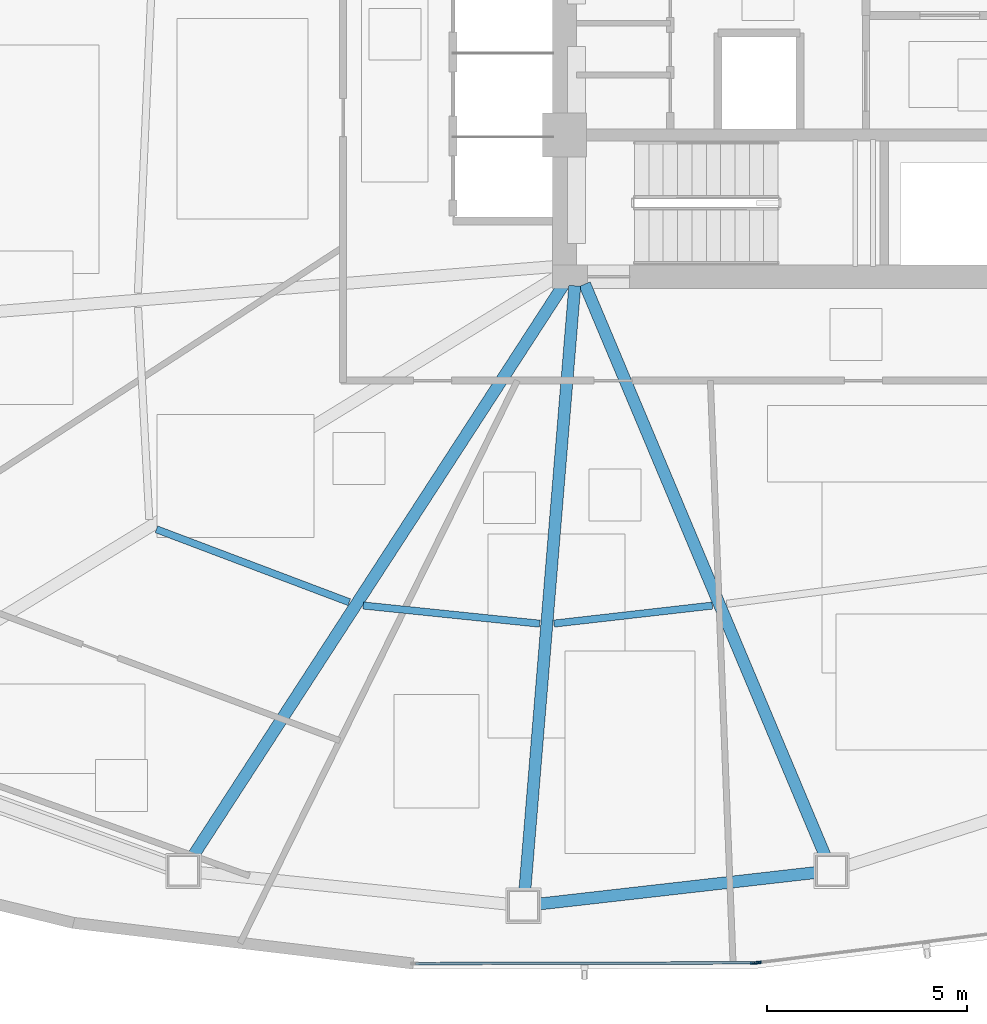
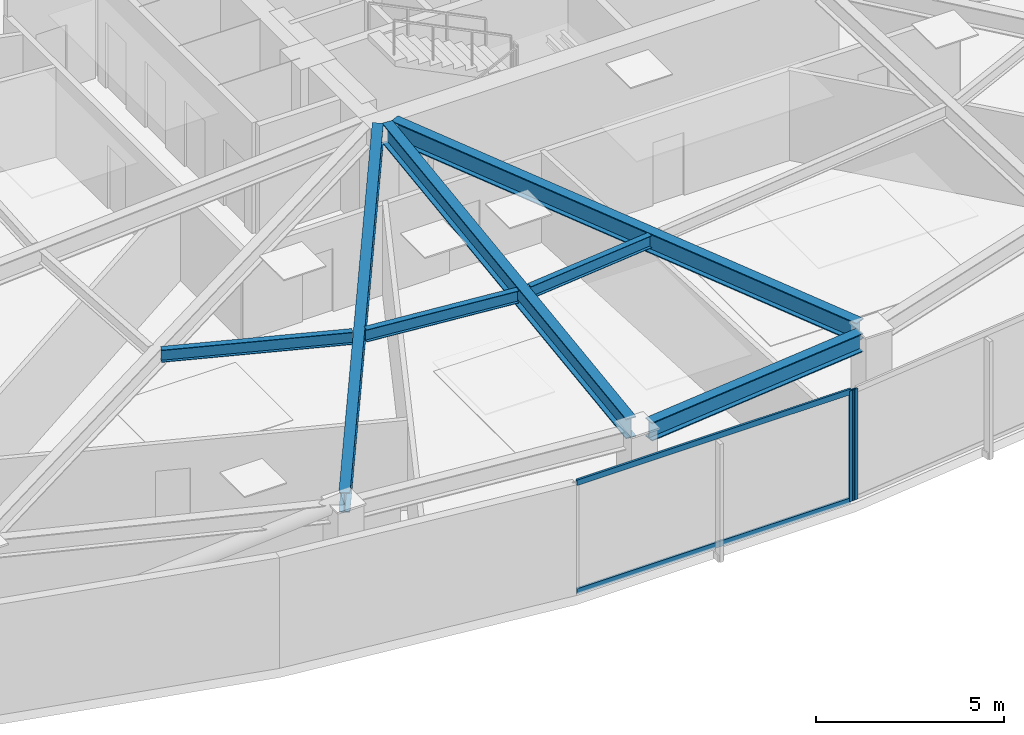
# One storey, part 3 of 17: 7 beams, 4 members, 2 elements without a shape of their own.
"""IFC4 building model written with IfcOpenShell, lengths in metres."""

from ifc_helpers import new_model, si_unit, direction, frame, origin, origin_2d, place, context, subcontext, project, spatial, hollow_rectangle, i_section, extrude, source, transform, mapped, material, layer, layer_set, material_profile, profile_set, type_object, type_shapes, element, aggregate, save


model = new_model("IFC4")

# Units and contexts
model_context = context("Model", 3, precision=1e-05, world=origin(), true_north=direction((0.0, 1.0)))
body_context = subcontext(model_context, "Body", "Model", "MODEL_VIEW")
ifc_project = project(units=[si_unit("LENGTHUNIT", "METRE"), si_unit("AREAUNIT", "SQUARE_METRE"), si_unit("VOLUMEUNIT", "CUBIC_METRE"), si_unit("PLANEANGLEUNIT", "RADIAN"), si_unit("MASSUNIT", "GRAM", prefix="KILO")], contexts=[model_context])

# Site, building, storey
site_placement = place(None, origin())
site = spatial("IfcSite", under=ifc_project, at=site_placement, CompositionType="ELEMENT")
building_placement = place(site_placement, origin())
building = spatial("IfcBuilding", under=site, at=building_placement, Name="Tavelor Broadcast Tower", CompositionType="ELEMENT")
storey_placement = place(building_placement, frame((0.0, 0.0, 39.300048828125)))
storey = spatial("IfcBuildingStorey", under=building, at=storey_placement, Name="L08", CompositionType="ELEMENT", Elevation=39.300048828125)

# Beams
ifc_material_1 = material(Name="Steel S355", Category="steel")
ifc_material_profile_1 = material_profile(ifc_material_1, i_section(OverallWidth=0.179931640625, OverallDepth=0.39990234375, WebThickness=0.008544921875, FlangeThickness=0.013427734375, at=origin_2d()), Name="IPE 400")
ifc_profile_set_1 = profile_set([ifc_material_profile_1], Name="Steel S355")
beam_type_1 = type_object("IfcBeamType", Name="Composite Floor Joist T1 IPE 400", PredefinedType="JOIST", material=ifc_profile_set_1)
beam_1_placement = place(storey_placement, frame((32.875732421875, 32.172119140625, 3.39990234375), z_axis=(0.935393222228, -0.353609275629, 0.0), x_axis=(0.353609275629, 0.935393222228, 0.0)))
element("IfcBeam", 1, at=beam_1_placement, inside=storey, type_object=beam_type_1, Name="L08 Secondary Composite Floor Joist 07", PredefinedType="JOIST", context=body_context, shape_type="SweptSolid", body=[
    extrude(i_section(OverallWidth=0.179931640625, OverallDepth=0.39990234375, WebThickness=0.008544921875, FlangeThickness=0.013427734375, at=origin_2d()), origin(), (0.0, 0.0, 1.0), 5.16357421875),
])
beam_2_placement = place(storey_placement, frame((38.05517578125, 30.263671875, 3.39990234375), z_axis=(0.994731276638, -0.102516765835, 0.0), x_axis=(0.102516765835, 0.994731276638, 0.0)))
element("IfcBeam", 2, at=beam_2_placement, inside=storey, type_object=beam_type_1, Name="L08 Secondary Composite Floor Joist 08", PredefinedType="JOIST", context=body_context, shape_type="SweptSolid", body=[
    extrude(i_section(OverallWidth=0.179931640625, OverallDepth=0.39990234375, WebThickness=0.008544921875, FlangeThickness=0.013427734375, at=origin_2d()), origin(), (0.0, 0.0, 1.0), 4.44384765625),
])
beam_3_placement = place(storey_placement, frame((42.83544921875, 29.81005859375, 3.39990234375), z_axis=(0.993584195036, 0.113094860076, 0.0), x_axis=(-0.113094860076, 0.993584195036, 0.0)))
element("IfcBeam", 3, at=beam_3_placement, inside=storey, type_object=beam_type_1, Name="L08 Secondary Composite Floor Joist 09", PredefinedType="JOIST", context=body_context, shape_type="SweptSolid", body=[
    extrude(i_section(OverallWidth=0.179931640625, OverallDepth=0.39990234375, WebThickness=0.008544921875, FlangeThickness=0.013427734375, at=origin_2d()), origin(), (0.0, 0.0, 1.0), 3.99365234375),
])
ifc_material_profile_2 = material_profile(ifc_material_1, i_section(OverallWidth=0.300048828125, OverallDepth=0.60009765625, WebThickness=0.015380859375, FlangeThickness=0.030029296875, at=origin_2d()), Name="HEB 600")
ifc_profile_set_2 = profile_set([ifc_material_profile_2], Name="Steel S355")
beam_type_2 = type_object("IfcBeamType", Name="Perimeter Spandrel Beam T1 HEB 600", PredefinedType="SPANDREL", material=ifc_profile_set_2)
beam_4_placement = place(storey_placement, frame((42.45458984375, 22.783935546875, 3.300048828125), z_axis=(0.993590028959, 0.113043594921, 0.0), x_axis=(-0.113043594921, 0.993590028959, 0.0)))
element("IfcBeam", 4, at=beam_4_placement, inside=storey, type_object=beam_type_2, Name="L08 Framed-Tube Ring Spandrel 09", PredefinedType="SPANDREL", context=body_context, shape_type="SweptSolid", body=[
    extrude(i_section(OverallWidth=0.300048828125, OverallDepth=0.60009765625, WebThickness=0.015380859375, FlangeThickness=0.030029296875, at=origin_2d()), origin(), (0.0, 0.0, 1.0), 6.995361328125),
])
ifc_material_profile_3 = material_profile(ifc_material_1, i_section(OverallWidth=0.300048828125, OverallDepth=0.64990234375, WebThickness=0.01611328125, FlangeThickness=0.031005859375, at=origin_2d()), Name="HEB 650")
ifc_profile_set_3 = profile_set([ifc_material_profile_3], Name="Steel S355")
beam_type_3 = type_object("IfcBeamType", Name="Radial Floor Girder T1 HEB 650", PredefinedType="BEAM", material=ifc_profile_set_3)
beam_5_placement = place(storey_placement, frame((43.11279296875, 38.35693359375, 3.27490234375), z_axis=(-0.544182728087, -0.838966720706, 0.0), x_axis=(0.838966720706, -0.544182728087, 0.0)))
element("IfcBeam", 5, at=beam_5_placement, inside=storey, type_object=beam_type_3, Name="L08 Radial Primary Floor Girder 08", PredefinedType="BEAM", context=body_context, shape_type="SweptSolid", body=[
    extrude(i_section(OverallWidth=0.300048828125, OverallDepth=0.64990234375, WebThickness=0.01611328125, FlangeThickness=0.031005859375, at=origin_2d()), origin(), (0.0, 0.0, 1.0), 17.186767578125),
])
beam_6_placement = place(storey_placement, frame((43.3564453125, 38.273681640625, 3.27490234375), z_axis=(-0.082338386508, -0.996604430106, 0.0), x_axis=(0.996604430106, -0.082338386508, 0.0)))
element("IfcBeam", 6, at=beam_6_placement, inside=storey, type_object=beam_type_3, Name="L08 Radial Primary Floor Girder 09", PredefinedType="BEAM", context=body_context, shape_type="SweptSolid", body=[
    extrude(i_section(OverallWidth=0.300048828125, OverallDepth=0.64990234375, WebThickness=0.01611328125, FlangeThickness=0.031005859375, at=origin_2d()), origin(), (0.0, 0.0, 1.0), 15.201904296875),
])
beam_7_placement = place(storey_placement, frame((43.604736328125, 38.313232421875, 3.27490234375), z_axis=(0.387757434366, -0.921761450753, 0.0), x_axis=(0.921761450753, 0.387757434366, 0.0)))
element("IfcBeam", 7, at=beam_7_placement, inside=storey, type_object=beam_type_3, Name="L08 Radial Primary Floor Girder 10", PredefinedType="BEAM", context=body_context, shape_type="SweptSolid", body=[
    extrude(i_section(OverallWidth=0.300048828125, OverallDepth=0.64990234375, WebThickness=0.01611328125, FlangeThickness=0.031005859375, at=origin_2d()), origin(), (0.0, 0.0, 1.0), 15.55859375),
])

# Curtain wall, member
ifc_material_2 = material(Name="Architectural Anodized Aluminium", Category="aluminium")
ifc_layer = layer(ifc_material_2, 0.179931640625)
ifc_layer_set = layer_set([ifc_layer], Name="Architectural Anodized Aluminium")
curtain_wall_type = type_object("IfcCurtainWallType", Name="Tower Low-Zone Unitised Curtain Wall CW02", PredefinedType="NOTDEFINED", material=ifc_layer_set)
curtain_wall_1_placement = place(storey_placement, origin())
curtain_wall_1 = element("IfcCurtainWall", 8, at=curtain_wall_1_placement, inside=storey, type_object=curtain_wall_type, Name="L08 Curtain Wall CW02 Run 53", PredefinedType="NOTDEFINED")
ifc_material_profile_4 = material_profile(ifc_material_2, hollow_rectangle(XDim=0.06494140625, YDim=0.179931640625, WallThickness=0.02197265625, at=origin_2d()), Name="RHS 65x180x22")
ifc_profile_set_4 = profile_set([ifc_material_profile_4], Name="Architectural Anodized Aluminium")
member_type_1 = type_object("IfcMemberType", Name="CW02 Extruded Aluminium Mullion 65x180", PredefinedType="MULLION", material=ifc_profile_set_4)
shared_shape_1 = source(origin(), body_context, "Body", "SweptSolid", [
    extrude(hollow_rectangle(XDim=0.06494140625, YDim=0.179931640625, WallThickness=0.02197265625, at=origin_2d()), origin(), (0.0, 0.0, 1.0), 3.599853515625),
])
type_shapes(member_type_1, [shared_shape_1])
member_1_placement = place(storey_placement, frame((47.843017578125, 21.310546875, 0.0), z_axis=(0.0, 0.0, 1.0), x_axis=(-0.002170559235, 0.999997644334, 0.0)))
member_1 = element("IfcMember", 9, at=member_1_placement, type_object=member_type_1, Name="CW02 mullion 2", PredefinedType="MULLION", context=body_context, shape_type="MappedRepresentation", body=[
    mapped(shared_shape_1, transform((0.0, 0.0, 0.0), scale=1.0)),
])

curtain_wall_2_placement = place(storey_placement, origin())
curtain_wall_2 = element("IfcCurtainWall", 10, at=curtain_wall_2_placement, inside=storey, type_object=curtain_wall_type, Name="L08 Curtain Wall CW02 Run 54", PredefinedType="NOTDEFINED")
member_2_placement = place(storey_placement, frame((47.9375, 21.31640625, 0.0), z_axis=(0.0, 0.0, 1.0), x_axis=(-0.12318004223, 0.992384339455, 0.0)))
member_2 = element("IfcMember", 11, at=member_2_placement, type_object=member_type_1, Name="CW02 mullion 1", PredefinedType="MULLION", context=body_context, shape_type="MappedRepresentation", body=[
    mapped(shared_shape_1, transform((0.0, 0.0, 0.0), scale=1.0)),
])
aggregate(curtain_wall_2, [member_2])

# Member
ifc_material_profile_5 = material_profile(ifc_material_2, hollow_rectangle(XDim=0.06494140625, YDim=0.179931640625, WallThickness=0.02197265625, at=origin_2d()), Name="RHS 65x180x22")
ifc_profile_set_5 = profile_set([ifc_material_profile_5], Name="Architectural Anodized Aluminium")
member_type_2 = type_object("IfcMemberType", Name="CW02 Extruded Aluminium Transom 65x180", PredefinedType="USERDEFINED", material=ifc_profile_set_5)
shared_shape_2 = source(origin(), body_context, "Body", "SweptSolid", [
    extrude(hollow_rectangle(XDim=0.06494140625, YDim=0.179931640625, WallThickness=0.02197265625, at=origin_2d()), origin(), (0.0, 0.0, 1.0), 8.439208984375),
])
type_shapes(member_type_2, [shared_shape_2])
member_3_placement = place(storey_placement, frame((39.37109375, 21.292236328125, 0.032470703125), z_axis=(0.999997646211, 0.002169694317, 0.0), x_axis=(-0.002169694317, 0.999997646211, 0.0)))
member_3 = element("IfcMember", 12, at=member_3_placement, type_object=member_type_2, Name="CW02 transom 1.1", ObjectType="TRANSOM", PredefinedType="USERDEFINED", context=body_context, shape_type="MappedRepresentation", body=[
    mapped(shared_shape_2, transform((0.0, 0.0, 0.0), scale=1.0)),
])

member_4_placement = place(storey_placement, frame((39.37109375, 21.292236328125, 3.5673828125), z_axis=(0.999997646211, 0.002169694317, 0.0), x_axis=(-0.002169694317, 0.999997646211, 0.0)))
member_4 = element("IfcMember", 13, at=member_4_placement, type_object=member_type_2, Name="CW02 transom 1.2", ObjectType="TRANSOM", PredefinedType="USERDEFINED", context=body_context, shape_type="MappedRepresentation", body=[
    mapped(shared_shape_2, transform((0.0, 0.0, 0.0), scale=1.0)),
])

aggregate(curtain_wall_1, [member_1, member_3, member_4])

save(model, "model.ifc")
